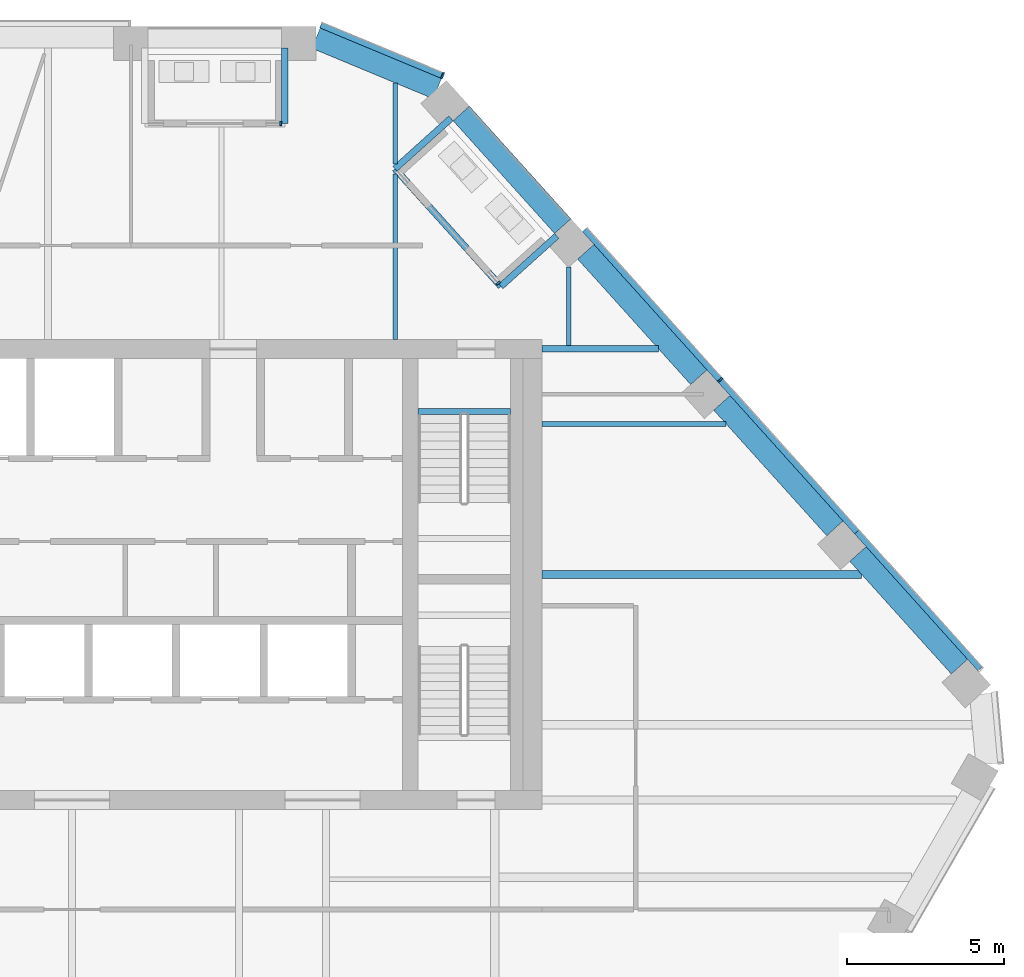
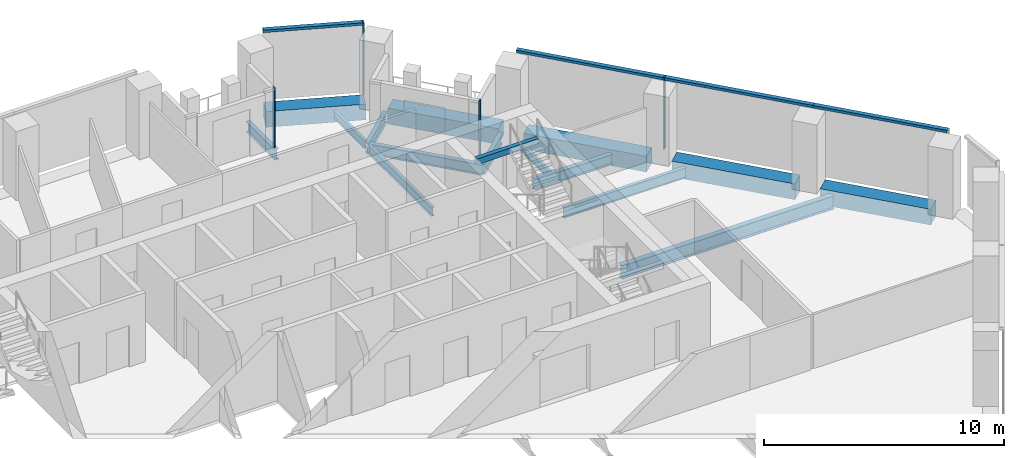
# One storey, part 8 of 24: 16 beams, 8 members, 4 elements without a shape of their own.
"""IFC4 building model written with IfcOpenShell, lengths in metres."""

from ifc_helpers import new_model, si_unit, direction, frame, origin, origin_2d, place, context, subcontext, project, spatial, rectangle, i_section, extrude, material, layer, layer_set, material_profile, profile_set, type_object, element, aggregate, save


model = new_model("IFC4")

# Units and contexts
model_context = context("Model", 3, precision=1e-05, world=origin(), true_north=direction((0.0, 1.0)))
body_context = subcontext(model_context, "Body", "Model", "MODEL_VIEW")
ifc_project = project(units=[si_unit("LENGTHUNIT", "METRE"), si_unit("AREAUNIT", "SQUARE_METRE"), si_unit("VOLUMEUNIT", "CUBIC_METRE"), si_unit("PLANEANGLEUNIT", "RADIAN"), si_unit("MASSUNIT", "GRAM", prefix="KILO")], contexts=[model_context])

# Site, building, storey
site_placement = place(None, origin())
site = spatial("IfcSite", under=ifc_project, at=site_placement, CompositionType="ELEMENT")
building_placement = place(site_placement, origin())
building = spatial("IfcBuilding", under=site, at=building_placement, Name="Isthmus Gate Tower", CompositionType="ELEMENT")
storey_placement = place(building_placement, frame((0.0, 0.0, 219.949951171875)))
storey = spatial("IfcBuildingStorey", under=building, at=storey_placement, Name="L55", CompositionType="ELEMENT", Elevation=219.949951171875)

# Curtain wall, member
ifc_material_1 = material(Name="Aluminium, pale champagne anodised", Category="aluminium")
ifc_layer_1 = layer(ifc_material_1, 0.199951171875)
ifc_layer_set_1 = layer_set([ifc_layer_1], Name="CW-1 UNITISED CURTAIN WALL 200 DEEP")
curtain_wall_type_1 = type_object("IfcCurtainWallType", Name="CW-1 UNITISED CURTAIN WALL 200 DEEP", PredefinedType="NOTDEFINED", material=ifc_layer_set_1)
curtain_wall_1_placement = place(storey_placement, origin())
curtain_wall_1 = element("IfcCurtainWall", 1, at=curtain_wall_1_placement, inside=storey, type_object=curtain_wall_type_1, Name="CW-1 NE L55", PredefinedType="NOTDEFINED")
ifc_material_2 = material(Name="Aluminium, pale champagne anodised", Category="aluminium")
ifc_material_profile_1 = material_profile(ifc_material_2, rectangle(XDim=0.06005859375, YDim=0.199951171875, at=origin_2d()), Name="60x200")
ifc_profile_set_1 = profile_set([ifc_material_profile_1], Name="Aluminium, pale champagne anodised")
member_type_1 = type_object("IfcMemberType", Name="CW-1 MULLION 60 X 200", PredefinedType="MULLION", material=ifc_profile_set_1)
member_1_placement = place(storey_placement, frame((20.696533203125, 13.709228515625, 0.0), z_axis=(0.0, 0.0, 1.0), x_axis=(-0.669130606359, 0.743144825477, 0.0)))
member_1 = element("IfcMember", 2, at=member_1_placement, type_object=member_type_1, Name="CW-1 mullion", PredefinedType="MULLION", context=body_context, shape_type="SweptSolid", body=[
    extrude(rectangle(XDim=0.06005859375, YDim=0.199951171875, at=origin_2d()), origin(), (0.0, 0.0, 1.0), 3.650146484375),
])

curtain_wall_2_placement = place(storey_placement, origin())
curtain_wall_2 = element("IfcCurtainWall", 3, at=curtain_wall_2_placement, inside=storey, type_object=curtain_wall_type_1, Name="CW-1 NE-N L55", PredefinedType="NOTDEFINED")
member_2_placement = place(storey_placement, frame((11.83349609375, 23.427490234375, 0.0), z_axis=(0.0, 0.0, 1.0), x_axis=(-0.923353128387, 0.383951820282, 0.0)))
member_2 = element("IfcMember", 4, at=member_2_placement, type_object=member_type_1, Name="CW-1 mullion", PredefinedType="MULLION", context=body_context, shape_type="SweptSolid", body=[
    extrude(rectangle(XDim=0.06005859375, YDim=0.199951171875, at=origin_2d()), origin(), (0.0, 0.0, 1.0), 3.650146484375),
])

# Member
ifc_material_3 = material(Name="Aluminium, pale champagne anodised", Category="aluminium")
ifc_material_profile_2 = material_profile(ifc_material_3, rectangle(XDim=0.199951171875, YDim=0.1298828125, at=origin_2d()), Name="200x130")
ifc_profile_set_2 = profile_set([ifc_material_profile_2], Name="Aluminium, pale champagne anodised")
member_type_2 = type_object("IfcMemberType", Name="CW-1 TRANSOM 200 X 130", PredefinedType="USERDEFINED", material=ifc_profile_set_2)
member_3_placement = place(storey_placement, frame((28.99609375, 4.491455078125, 3.5849609375), z_axis=(-0.669134411332, 0.743141399447, 0.0), x_axis=(-0.743141399447, -0.669134411332, 0.0)))
member_3 = element("IfcMember", 5, at=member_3_placement, type_object=member_type_2, Name="CW-1 transom", ObjectType="TRANSOM", PredefinedType="USERDEFINED", context=body_context, shape_type="SweptSolid", body=[
    extrude(rectangle(XDim=0.199951171875, YDim=0.1298828125, at=origin_2d()), origin(), (0.0, 0.0, 1.0), 5.8818359375),
])

member_4_placement = place(storey_placement, frame((25.060302734375, 8.862548828125, 3.5849609375), z_axis=(-0.669112239491, 0.743161362668, 0.0), x_axis=(-0.743161362668, -0.669112239491, 0.0)))
member_4 = element("IfcMember", 6, at=member_4_placement, type_object=member_type_2, Name="CW-1 transom", ObjectType="TRANSOM", PredefinedType="USERDEFINED", context=body_context, shape_type="SweptSolid", body=[
    extrude(rectangle(XDim=0.199951171875, YDim=0.1298828125, at=origin_2d()), origin(), (0.0, 0.0, 1.0), 6.49169921875),
])

member_5_placement = place(storey_placement, frame((20.67626953125, 13.7314453125, 3.5849609375), z_axis=(-0.669128292476, 0.7431469089, 0.0), x_axis=(-0.7431469089, -0.669128292476, 0.0)))
member_5 = element("IfcMember", 7, at=member_5_placement, type_object=member_type_2, Name="CW-1 transom", ObjectType="TRANSOM", PredefinedType="USERDEFINED", context=body_context, shape_type="SweptSolid", body=[
    extrude(rectangle(XDim=0.199951171875, YDim=0.1298828125, at=origin_2d()), origin(), (0.0, 0.0, 1.0), 6.431884765625),
])

aggregate(curtain_wall_1, [member_3, member_4, member_1, member_5])

member_6_placement = place(storey_placement, frame((11.8056640625, 23.43896484375, 3.5849609375), z_axis=(-0.923358236369, 0.383939536033, 0.0), x_axis=(-0.383939536033, -0.923358236369, 0.0)))
member_6 = element("IfcMember", 8, at=member_6_placement, type_object=member_type_2, Name="CW-1 transom", ObjectType="TRANSOM", PredefinedType="USERDEFINED", context=body_context, shape_type="SweptSolid", body=[
    extrude(rectangle(XDim=0.199951171875, YDim=0.1298828125, at=origin_2d()), origin(), (0.0, 0.0, 1.0), 4.181640625),
])

aggregate(curtain_wall_2, [member_2, member_6])

# Curtain wall, member
ifc_material_4 = material(Name="Aluminium, pale champagne anodised", Category="aluminium")
ifc_layer_2 = layer(ifc_material_4, 0.14990234375)
ifc_layer_set_2 = layer_set([ifc_layer_2], Name="CW-6 LOGGIA BACK WALL GLAZING 150 DEEP")
curtain_wall_type_2 = type_object("IfcCurtainWallType", Name="CW-6 LOGGIA BACK WALL GLAZING 150 DEEP", PredefinedType="NOTDEFINED", material=ifc_layer_set_2)
curtain_wall_3_placement = place(storey_placement, origin())
curtain_wall_3 = element("IfcCurtainWall", 9, at=curtain_wall_3_placement, inside=storey, type_object=curtain_wall_type_2, Name="CW-6 N L55", PredefinedType="NOTDEFINED")
ifc_material_5 = material(Name="Aluminium, pale champagne anodised", Category="aluminium")
ifc_material_profile_3 = material_profile(ifc_material_5, rectangle(XDim=0.06005859375, YDim=0.14990234375, at=origin_2d()), Name="60x150")
ifc_profile_set_3 = profile_set([ifc_material_profile_3], Name="Aluminium, pale champagne anodised")
member_type_3 = type_object("IfcMemberType", Name="CW-6 MULLION 60 X 150", PredefinedType="MULLION", material=ifc_profile_set_3)
member_7_placement = place(storey_placement, frame((6.6611328125, 21.89990234375, 0.0), z_axis=(0.0, 0.0, 1.0), x_axis=(-1.0, 0.0, 0.0)))
member_7 = element("IfcMember", 10, at=member_7_placement, type_object=member_type_3, Name="CW-6 mullion", PredefinedType="MULLION", context=body_context, shape_type="SweptSolid", body=[
    extrude(rectangle(XDim=0.06005859375, YDim=0.14990234375, at=origin_2d()), origin(), (0.0, 0.0, 1.0), 3.050048828125),
])
aggregate(curtain_wall_3, [member_7])

curtain_wall_4_placement = place(storey_placement, origin())
curtain_wall_4 = element("IfcCurtainWall", 11, at=curtain_wall_4_placement, inside=storey, type_object=curtain_wall_type_2, Name="CW-6 NE L55", PredefinedType="NOTDEFINED")
member_8_placement = place(storey_placement, frame((13.6064453125, 16.801025390625, 0.0), z_axis=(0.0, 0.0, 1.0), x_axis=(-0.669130606359, 0.743144825477, 0.0)))
member_8 = element("IfcMember", 12, at=member_8_placement, type_object=member_type_3, Name="CW-6 mullion", PredefinedType="MULLION", context=body_context, shape_type="SweptSolid", body=[
    extrude(rectangle(XDim=0.06005859375, YDim=0.14990234375, at=origin_2d()), origin(), (0.0, 0.0, 1.0), 3.050048828125),
])
aggregate(curtain_wall_4, [member_8])

# Beams
ifc_material_6 = material(Name="Concrete f'c 50 MPa", Category="concrete")
ifc_material_profile_4 = material_profile(ifc_material_6, rectangle(XDim=0.699951171875, YDim=0.800048828125, at=origin_2d()), Name="RC 700X800")
ifc_profile_set_4 = profile_set([ifc_material_profile_4], Name="Concrete f'c 50 MPa")
beam_type_1 = type_object("IfcBeamType", Name="RC SPANDREL 700 X 800", PredefinedType="SPANDREL", material=ifc_profile_set_4)
beam_1_placement = place(storey_placement, frame((7.791015625, 24.620849609375, -0.39990234375), z_axis=(0.923360646135, -0.383933740597, 0.0), x_axis=(0.383933740597, 0.923360646135, 0.0)))
element("IfcBeam", 13, at=beam_1_placement, inside=storey, type_object=beam_type_1, Name="str-spandrel-L55-00", PredefinedType="SPANDREL", context=body_context, shape_type="SweptSolid", body=[
    extrude(rectangle(XDim=0.699951171875, YDim=0.800048828125, at=origin_2d()), origin(), (0.0, 0.0, 1.0), 4.19677734375),
])
beam_2_placement = place(storey_placement, frame((12.43017578125, 22.21728515625, -0.39990234375), z_axis=(0.669129069044, -0.743146209679, 0.0), x_axis=(0.743146209679, 0.669129069044, 0.0)))
element("IfcBeam", 14, at=beam_2_placement, inside=storey, type_object=beam_type_1, Name="str-spandrel-L55-01", PredefinedType="SPANDREL", context=body_context, shape_type="SweptSolid", body=[
    extrude(rectangle(XDim=0.699951171875, YDim=0.800048828125, at=origin_2d()), origin(), (0.0, 0.0, 1.0), 4.842041015625),
])
beam_3_placement = place(storey_placement, frame((16.40625, 17.801513671875, -0.39990234375), z_axis=(0.669122314994, -0.743152290972, 0.0), x_axis=(0.743152290972, 0.669122314994, 0.0)))
element("IfcBeam", 15, at=beam_3_placement, inside=storey, type_object=beam_type_1, Name="str-spandrel-L55-02", PredefinedType="SPANDREL", context=body_context, shape_type="SweptSolid", body=[
    extrude(rectangle(XDim=0.699951171875, YDim=0.800048828125, at=origin_2d()), origin(), (0.0, 0.0, 1.0), 5.39208984375),
])
beam_4_placement = place(storey_placement, frame((20.75, 12.97705078125, -0.39990234375), z_axis=(0.669144830508, -0.743132017749, 0.0), x_axis=(0.743132017749, 0.669144830508, 0.0)))
element("IfcBeam", 16, at=beam_4_placement, inside=storey, type_object=beam_type_1, Name="str-spandrel-L55-03", PredefinedType="SPANDREL", context=body_context, shape_type="SweptSolid", body=[
    extrude(rectangle(XDim=0.699951171875, YDim=0.800048828125, at=origin_2d()), origin(), (0.0, 0.0, 1.0), 5.391845703125),
])
beam_5_placement = place(storey_placement, frame((25.093994140625, 8.152587890625, -0.39990234375), z_axis=(0.669154141686, -0.743123633499, 0.0), x_axis=(0.743123633499, 0.669154141686, 0.0)))
element("IfcBeam", 17, at=beam_5_placement, inside=storey, type_object=beam_type_1, Name="str-spandrel-L55-04", PredefinedType="SPANDREL", context=body_context, shape_type="SweptSolid", body=[
    extrude(rectangle(XDim=0.699951171875, YDim=0.800048828125, at=origin_2d()), origin(), (0.0, 0.0, 1.0), 4.842041015625),
])
ifc_material_7 = material(Name="Concrete f'c 40 MPa", Category="concrete")
ifc_material_profile_5 = material_profile(ifc_material_7, rectangle(XDim=0.199951171875, YDim=0.300048828125, at=origin_2d()), Name="STAIR LANDING BEAM RC 200 X 300")
ifc_profile_set_5 = profile_set([ifc_material_profile_5], Name="Concrete f'c 40 MPa")
beam_type_2 = type_object("IfcBeamType", Name="STAIR LANDING BEAM RC 200 X 300", PredefinedType="BEAM", material=ifc_profile_set_5)
beam_6_placement = place(storey_placement, frame((11.050048828125, 12.7001953125, 3.35009765625), z_axis=(1.0, 0.0, 0.0), x_axis=(0.0, 1.0, 0.0)))
element("IfcBeam", 18, at=beam_6_placement, inside=storey, type_object=beam_type_2, Name="L55 ST2 floor-edge seat beam", PredefinedType="BEAM", context=body_context, shape_type="SweptSolid", body=[
    extrude(rectangle(XDim=0.199951171875, YDim=0.300048828125, at=origin_2d()), origin(), (0.0, 0.0, 1.0), 2.949951171875),
])
ifc_material_8 = material(Name="Structural steel ASTM A992 Gr 50", Category="steel")
ifc_material_profile_6 = material_profile(ifc_material_8, i_section(OverallWidth=0.1396484375, OverallDepth=0.4033203125, WebThickness=0.00634765625, FlangeThickness=0.010986328125, at=origin_2d()), Name="W16X31")
ifc_profile_set_6 = profile_set([ifc_material_profile_6], Name="Structural steel ASTM A992 Gr 50")
beam_type_3 = type_object("IfcBeamType", Name="STEEL FLOOR BEAM W16X31", PredefinedType="JOIST", material=ifc_profile_set_6)
beam_7_placement = place(storey_placement, frame((10.3193359375, 20.598388671875, -0.3515625), z_axis=(0.0, 1.0, 0.0), x_axis=(-1.0, 0.0, 0.0)))
element("IfcBeam", 19, at=beam_7_placement, inside=storey, type_object=beam_type_3, Name="str-beam-L55-07-06", PredefinedType="JOIST", context=body_context, shape_type="SweptSolid", body=[
    extrude(i_section(OverallWidth=0.1396484375, OverallDepth=0.4033203125, WebThickness=0.00634765625, FlangeThickness=0.010986328125, at=origin_2d()), origin(), (0.0, 0.0, 1.0), 2.59228515625),
])
beam_8_placement = place(storey_placement, frame((15.862060546875, 14.8046875, -0.3515625), z_axis=(0.0, 1.0, 0.0), x_axis=(-1.0, 0.0, 0.0)))
element("IfcBeam", 20, at=beam_8_placement, inside=storey, type_object=beam_type_3, Name="str-beam-L55-07-07", PredefinedType="JOIST", context=body_context, shape_type="SweptSolid", body=[
    extrude(i_section(OverallWidth=0.1396484375, OverallDepth=0.4033203125, WebThickness=0.00634765625, FlangeThickness=0.010986328125, at=origin_2d()), origin(), (0.0, 0.0, 1.0), 2.5068359375),
])
ifc_material_9 = material(Name="Structural steel ASTM A992 Gr 50", Category="steel")
ifc_material_profile_7 = material_profile(ifc_material_9, i_section(OverallWidth=0.15234375, OverallDepth=0.45068359375, WebThickness=0.0078125, FlangeThickness=0.010986328125, at=origin_2d()), Name="W18X35")
ifc_profile_set_7 = profile_set([ifc_material_profile_7], Name="Structural steel ASTM A992 Gr 50")
beam_type_4 = type_object("IfcBeamType", Name="STEEL FLOOR BEAM W18X35", PredefinedType="JOIST", material=ifc_profile_set_7)
beam_9_placement = place(storey_placement, frame((10.3193359375, 15.0, -0.375244140625), z_axis=(0.0, 1.0, 0.0), x_axis=(-1.0, 0.0, 0.0)))
element("IfcBeam", 21, at=beam_9_placement, inside=storey, type_object=beam_type_4, Name="str-beam-L55-07-05", PredefinedType="JOIST", context=body_context, shape_type="SweptSolid", body=[
    extrude(i_section(OverallWidth=0.15234375, OverallDepth=0.45068359375, WebThickness=0.0078125, FlangeThickness=0.010986328125, at=origin_2d()), origin(), (0.0, 0.0, 1.0), 5.2880859375),
])
ifc_material_10 = material(Name="Structural steel ASTM A992 Gr 50", Category="steel")
ifc_material_profile_8 = material_profile(ifc_material_10, i_section(OverallWidth=0.1650390625, OverallDepth=0.52392578125, WebThickness=0.009521484375, FlangeThickness=0.010986328125, at=origin_2d()), Name="W21X44")
ifc_profile_set_8 = profile_set([ifc_material_profile_8], Name="Structural steel ASTM A992 Gr 50")
beam_type_5 = type_object("IfcBeamType", Name="STEEL FLOOR BEAM W21X44", PredefinedType="JOIST", material=ifc_profile_set_8)
beam_10_placement = place(storey_placement, frame((15.0, 12.300048828125, -0.411865234375), z_axis=(1.0, 0.0, 0.0), x_axis=(0.0, 1.0, 0.0)))
element("IfcBeam", 22, at=beam_10_placement, inside=storey, type_object=beam_type_5, Name="str-beam-L55-18-02", PredefinedType="JOIST", context=body_context, shape_type="SweptSolid", body=[
    extrude(i_section(OverallWidth=0.1650390625, OverallDepth=0.52392578125, WebThickness=0.009521484375, FlangeThickness=0.010986328125, at=origin_2d()), origin(), (0.0, 0.0, 1.0), 5.888671875),
])
ifc_material_11 = material(Name="Structural steel ASTM A992 Gr 50", Category="steel")
ifc_material_profile_9 = material_profile(ifc_material_11, i_section(OverallWidth=0.25390625, OverallDepth=0.679443359375, WebThickness=0.010986328125, FlangeThickness=0.015869140625, at=origin_2d()), Name="W27X84")
ifc_profile_set_9 = profile_set([ifc_material_profile_9], Name="Structural steel ASTM A992 Gr 50")
beam_type_6 = type_object("IfcBeamType", Name="STEEL FLOOR BEAM W27X84", PredefinedType="JOIST", material=ifc_profile_set_9)
beam_11_placement = place(storey_placement, frame((15.0, 7.5, -0.48974609375), z_axis=(1.0, 0.0, 0.0), x_axis=(0.0, 1.0, 0.0)))
element("IfcBeam", 23, at=beam_11_placement, inside=storey, type_object=beam_type_6, Name="str-beam-L55-18-01", PredefinedType="JOIST", context=body_context, shape_type="SweptSolid", body=[
    extrude(i_section(OverallWidth=0.25390625, OverallDepth=0.679443359375, WebThickness=0.010986328125, FlangeThickness=0.015869140625, at=origin_2d()), origin(), (0.0, 0.0, 1.0), 10.210693359375),
])
ifc_material_12 = material(Name="Structural steel ASTM A992 Gr 50", Category="steel")
ifc_material_profile_10 = material_profile(ifc_material_12, i_section(OverallWidth=0.20947265625, OverallDepth=0.533447265625, WebThickness=0.009521484375, FlangeThickness=0.015869140625, at=origin_2d()), Name="W21X62")
ifc_profile_set_10 = profile_set([ifc_material_profile_10], Name="Structural steel ASTM A992 Gr 50")
beam_type_7 = type_object("IfcBeamType", Name="STEEL GIRDER W21X62", PredefinedType="BEAM", material=ifc_profile_set_10)
beam_12_placement = place(storey_placement, frame((15.0, 14.699951171875, -0.416748046875), z_axis=(1.0, 0.0, 0.0), x_axis=(0.0, 1.0, 0.0)))
element("IfcBeam", 24, at=beam_12_placement, inside=storey, type_object=beam_type_7, Name="str-girder-L55-12", PredefinedType="BEAM", context=body_context, shape_type="SweptSolid", body=[
    extrude(i_section(OverallWidth=0.20947265625, OverallDepth=0.533447265625, WebThickness=0.009521484375, FlangeThickness=0.015869140625, at=origin_2d()), origin(), (0.0, 0.0, 1.0), 3.727783203125),
])
ifc_material_13 = material(Name="Structural steel ASTM A992 Gr 50", Category="steel")
ifc_material_profile_11 = material_profile(ifc_material_13, i_section(OverallWidth=0.20947265625, OverallDepth=0.533447265625, WebThickness=0.009521484375, FlangeThickness=0.015869140625, at=origin_2d()), Name="W21X62")
ifc_profile_set_11 = profile_set([ifc_material_profile_11], Name="Structural steel ASTM A992 Gr 50")
beam_type_8 = type_object("IfcBeamType", Name="STEEL TRIMMER W21X62", PredefinedType="BEAM", material=ifc_profile_set_11)
beam_13_placement = place(storey_placement, frame((6.7958984375, 24.300048828125, -0.416748046875), z_axis=(0.0, -1.0, 0.0), x_axis=(1.0, 0.0, 0.0)))
element("IfcBeam", 25, at=beam_13_placement, inside=storey, type_object=beam_type_8, Name="str-loggiatrim-L55-01-A", PredefinedType="BEAM", context=body_context, shape_type="SweptSolid", body=[
    extrude(i_section(OverallWidth=0.20947265625, OverallDepth=0.533447265625, WebThickness=0.009521484375, FlangeThickness=0.015869140625, at=origin_2d()), origin(), (0.0, 0.0, 1.0), 2.40478515625),
])
beam_14_placement = place(storey_placement, frame((13.693115234375, 16.69775390625, -0.416748046875), z_axis=(-0.669140946944, 0.743135514642, 0.0), x_axis=(-0.743135514642, -0.669140946944, 0.0)))
element("IfcBeam", 26, at=beam_14_placement, inside=storey, type_object=beam_type_8, Name="str-loggiatrim-L55-05-B", PredefinedType="BEAM", context=body_context, shape_type="SweptSolid", body=[
    extrude(i_section(OverallWidth=0.20947265625, OverallDepth=0.533447265625, WebThickness=0.009521484375, FlangeThickness=0.015869140625, at=origin_2d()), origin(), (0.0, 0.0, 1.0), 5.051513671875),
])
for number, where, z_axis, x_axis, name in (
    (27, (15.480224609375, 18.306884765625, -0.416748046875), (-0.743142685208, -0.669132983361, 0.0), (0.669132983361, -0.743142685208, 0.0), "str-loggiatrim-L55-05-A"),
    (28, (12.10009765625, 22.060791015625, -0.416748046875), (-0.743142685208, -0.669132983361, 0.0), (0.669132983361, -0.743142685208, 0.0), "str-loggiatrim-L55-05-C"),
):
    element("IfcBeam", number, at=place(storey_placement, frame(where, z_axis=z_axis, x_axis=x_axis)), inside=storey, type_object=beam_type_8, Name=name, PredefinedType="BEAM", context=body_context, shape_type="SweptSolid", body=[
        extrude(i_section(OverallWidth=0.20947265625, OverallDepth=0.533447265625, WebThickness=0.009521484375, FlangeThickness=0.015869140625, at=origin_2d()), origin(), (0.0, 0.0, 1.0), 2.40478515625),
    ])

save(model, "model.ifc")
